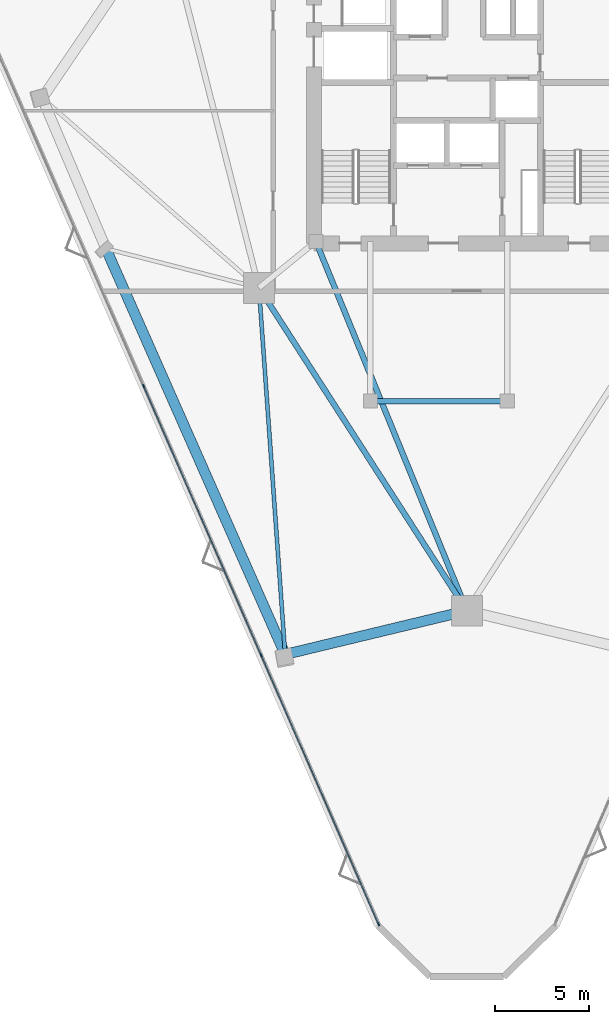
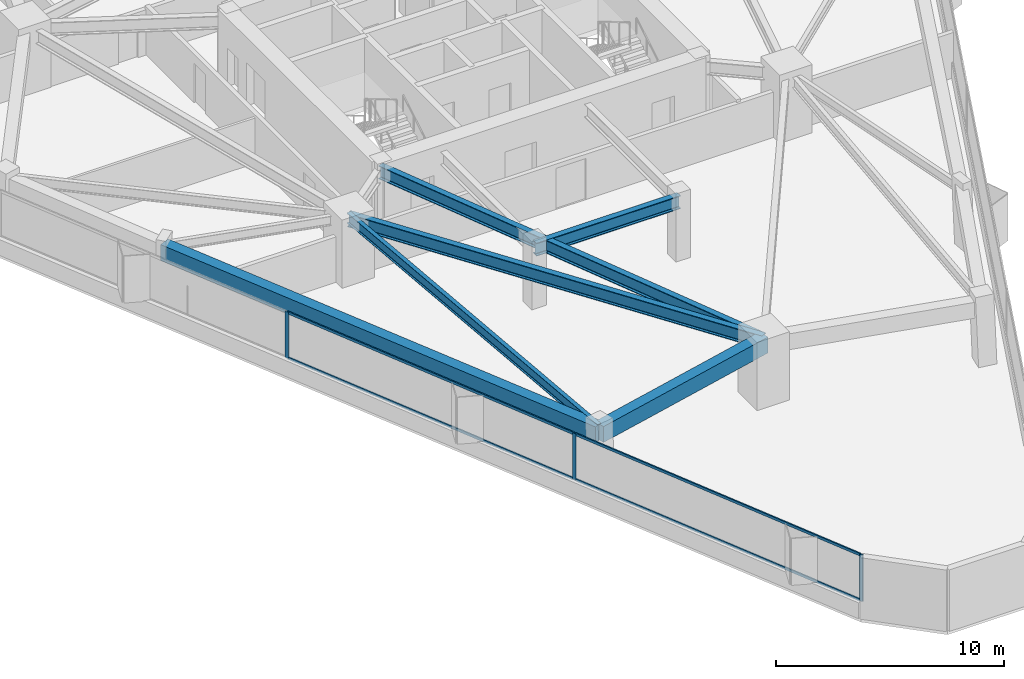
# One storey, part 2 of 14: 7 members, 6 beams, 1 element without a shape of its own.
"""IFC4 building model written with IfcOpenShell, lengths in metres."""

from ifc_helpers import new_model, si_unit, direction, frame, origin, origin_2d, place, context, subcontext, project, spatial, rectangle, i_section, extrude, material, layer, layer_set, material_profile, profile_set, type_object, element, aggregate, save


model = new_model("IFC4")

# Units and contexts
model_context = context("Model", 3, precision=1e-05, world=origin(), true_north=direction((0.0, 1.0)))
body_context = subcontext(model_context, "Body", "Model", "MODEL_VIEW")
ifc_project = project(units=[si_unit("LENGTHUNIT", "METRE"), si_unit("AREAUNIT", "SQUARE_METRE"), si_unit("VOLUMEUNIT", "CUBIC_METRE"), si_unit("PLANEANGLEUNIT", "RADIAN"), si_unit("MASSUNIT", "GRAM", prefix="KILO")], contexts=[model_context])

# Site, building, storey
site_placement = place(None, origin())
site = spatial("IfcSite", under=ifc_project, at=site_placement, CompositionType="ELEMENT")
building_placement = place(site_placement, origin())
building = spatial("IfcBuilding", under=site, at=building_placement, Name="Talyreon Biosciences Tower", CompositionType="ELEMENT")
storey_placement = place(building_placement, frame((0.0, 0.0, 115.14990234375)))
storey = spatial("IfcBuildingStorey", under=building, at=storey_placement, Name="L30", CompositionType="ELEMENT", Elevation=115.14990234375)

# Curtain wall, members
ifc_material_1 = material(Name="Thermally broken aluminium and low-E glazing", Category="aluminium")
ifc_layer = layer(ifc_material_1, 0.18994140625)
ifc_layer_set = layer_set([ifc_layer], Name="Thermally broken aluminium and low-E glazing")
curtain_wall_type = type_object("IfcCurtainWallType", Name="CurtainWall_Zone2Genomics", PredefinedType="NOTDEFINED", material=ifc_layer_set)
curtain_wall_placement = place(storey_placement, origin())
curtain_wall = element("IfcCurtainWall", 1, at=curtain_wall_placement, inside=storey, type_object=curtain_wall_type, Name="L30 Unitised Curtain Wall FCW-L30-00", PredefinedType="NOTDEFINED")
ifc_material_2 = material(Name="Anodised thermally broken aluminium", Category="aluminium")
ifc_material_profile_1 = material_profile(ifc_material_2, rectangle(XDim=0.06494140625, YDim=0.179931640625, at=origin_2d()), Name="ALUM MULLION 65x180")
ifc_profile_set_1 = profile_set([ifc_material_profile_1], Name="Anodised thermally broken aluminium")
member_type_1 = type_object("IfcMemberType", Name="CWMullion_65x180", PredefinedType="MULLION", material=ifc_profile_set_1)
member_1_placement = place(storey_placement, frame((61.294921875, 24.954345703125, 0.81005859375), z_axis=(0.0, 0.0, 1.0), x_axis=(-0.916416470178, -0.400226002637, 0.0)))
member_1 = element("IfcMember", 2, at=member_1_placement, type_object=member_type_1, Name="CW3 mullion 1", PredefinedType="MULLION", context=body_context, shape_type="SweptSolid", body=[
    extrude(rectangle(XDim=0.06494140625, YDim=0.179931640625, at=origin_2d()), origin(), (0.0, 0.0, 1.0), 2.489990234375),
])
member_2_placement = place(storey_placement, frame((55.035888671875, 39.2861328125, 0.81005859375), z_axis=(0.0, 0.0, 1.0), x_axis=(-0.916416470178, -0.400226002637, 0.0)))
member_2 = element("IfcMember", 3, at=member_2_placement, type_object=member_type_1, Name="CW3 mullion 2", PredefinedType="MULLION", context=body_context, shape_type="SweptSolid", body=[
    extrude(rectangle(XDim=0.06494140625, YDim=0.179931640625, at=origin_2d()), origin(), (0.0, 0.0, 1.0), 2.489990234375),
])
member_3_placement = place(storey_placement, frame((48.763671875, 53.6474609375, 0.81005859375), z_axis=(0.0, 0.0, 1.0), x_axis=(-0.916416470178, -0.400226002637, 0.0)))
member_3 = element("IfcMember", 4, at=member_3_placement, type_object=member_type_1, Name="CW3 mullion 3", PredefinedType="MULLION", context=body_context, shape_type="SweptSolid", body=[
    extrude(rectangle(XDim=0.06494140625, YDim=0.179931640625, at=origin_2d()), origin(), (0.0, 0.0, 1.0), 2.489990234375),
])
ifc_material_profile_2 = material_profile(ifc_material_2, rectangle(XDim=0.06494140625, YDim=0.139892578125, at=origin_2d()), Name="ALUM TRANSOM 65x140")
ifc_profile_set_2 = profile_set([ifc_material_profile_2], Name="Anodised thermally broken aluminium")
member_type_2 = type_object("IfcMemberType", Name="CWTransom_65x140", PredefinedType="USERDEFINED", material=ifc_profile_set_2)
member_4_placement = place(storey_placement, frame((61.281982421875, 24.984130859375, 0.842529296875), z_axis=(-0.400229120213, 0.916415108634, 0.0), x_axis=(-0.916415108634, -0.400229120213, 0.0)))
member_4 = element("IfcMember", 5, at=member_4_placement, type_object=member_type_2, Name="CW3 transom 1.1", ObjectType="TRANSOM", PredefinedType="USERDEFINED", context=body_context, shape_type="SweptSolid", body=[
    extrude(rectangle(XDim=0.06494140625, YDim=0.139892578125, at=origin_2d()), origin(), (0.0, 0.0, 1.0), 15.573974609375),
])
member_5_placement = place(storey_placement, frame((61.281982421875, 24.984130859375, 3.267578125), z_axis=(-0.400229120213, 0.916415108634, 0.0), x_axis=(-0.916415108634, -0.400229120213, 0.0)))
member_5 = element("IfcMember", 6, at=member_5_placement, type_object=member_type_2, Name="CW3 transom 1.2", ObjectType="TRANSOM", PredefinedType="USERDEFINED", context=body_context, shape_type="SweptSolid", body=[
    extrude(rectangle(XDim=0.06494140625, YDim=0.139892578125, at=origin_2d()), origin(), (0.0, 0.0, 1.0), 15.573974609375),
])
member_6_placement = place(storey_placement, frame((55.022705078125, 39.31591796875, 0.842529296875), z_axis=(-0.40023115993, 0.916414217819, 0.0), x_axis=(-0.916414217819, -0.40023115993, 0.0)))
member_6 = element("IfcMember", 7, at=member_6_placement, type_object=member_type_2, Name="CW3 transom 2.1", ObjectType="TRANSOM", PredefinedType="USERDEFINED", context=body_context, shape_type="SweptSolid", body=[
    extrude(rectangle(XDim=0.06494140625, YDim=0.139892578125, at=origin_2d()), origin(), (0.0, 0.0, 1.0), 15.606201171875),
])
member_7_placement = place(storey_placement, frame((55.022705078125, 39.31591796875, 3.267578125), z_axis=(-0.40023115993, 0.916414217819, 0.0), x_axis=(-0.916414217819, -0.40023115993, 0.0)))
member_7 = element("IfcMember", 8, at=member_7_placement, type_object=member_type_2, Name="CW3 transom 2.2", ObjectType="TRANSOM", PredefinedType="USERDEFINED", context=body_context, shape_type="SweptSolid", body=[
    extrude(rectangle(XDim=0.06494140625, YDim=0.139892578125, at=origin_2d()), origin(), (0.0, 0.0, 1.0), 15.606201171875),
])
aggregate(curtain_wall, [member_1, member_2, member_3, member_4, member_5, member_6, member_7])

# Beams
ifc_material_3 = material(Name="Precast concrete C45/55", Category="concrete")
ifc_material_profile_3 = material_profile(ifc_material_3, rectangle(XDim=0.550048828125, YDim=0.85009765625, at=origin_2d()), Name="RCB 550x850")
ifc_profile_set_3 = profile_set([ifc_material_profile_3], Name="Precast concrete C45/55")
beam_type_1 = type_object("IfcBeamType", Name="ExpressedSpandrel_550x850", PredefinedType="SPANDREL", material=ifc_profile_set_3)
beam_1_placement = place(storey_placement, frame((46.7587890625, 60.9677734375, 2.875), z_axis=(0.40404511464, -0.914739058604, 0.0), x_axis=(0.914739058604, 0.40404511464, 0.0)))
element("IfcBeam", 9, at=beam_1_placement, inside=storey, type_object=beam_type_1, Name="L30 Expressed Horizontal Concrete Spandrel 11", PredefinedType="SPANDREL", context=body_context, shape_type="SweptSolid", body=[
    extrude(rectangle(XDim=0.550048828125, YDim=0.85009765625, at=origin_2d()), origin(), (0.0, 0.0, 1.0), 23.645263671875),
])
beam_2_placement = place(storey_placement, frame((56.3125, 39.338623046875, 2.875), z_axis=(0.972310512875, 0.233692675436, 0.0), x_axis=(-0.233692675436, 0.972310512875, 0.0)))
element("IfcBeam", 10, at=beam_2_placement, inside=storey, type_object=beam_type_1, Name="L30 Expressed Horizontal Concrete Spandrel 12", PredefinedType="SPANDREL", context=body_context, shape_type="SweptSolid", body=[
    extrude(rectangle(XDim=0.550048828125, YDim=0.85009765625, at=origin_2d()), origin(), (0.0, 0.0, 1.0), 9.96337890625),
])
ifc_material_4 = material(Name="Steel SM355", Category="steel")
ifc_material_profile_4 = material_profile(ifc_material_4, i_section(OverallWidth=0.300048828125, OverallDepth=0.699951171875, WebThickness=0.01708984375, FlangeThickness=0.031982421875, FilletRadius=0.027099609375, at=origin_2d()), Name="HE700B")
ifc_profile_set_4 = profile_set([ifc_material_profile_4], Name="Steel SM355")
beam_type_2 = type_object("IfcBeamType", Name="SteelGirder_HE700B", PredefinedType="BEAM", material=ifc_profile_set_4)
beam_3_placement = place(storey_placement, frame((54.913818359375, 58.88037109375, 2.9501953125), z_axis=(0.541463723609, -0.840724114092, 0.0), x_axis=(0.840724114092, 0.541463723609, 0.0)))
element("IfcBeam", 11, at=beam_3_placement, inside=storey, type_object=beam_type_2, Name="L30 Mega-Ring Girder 6", PredefinedType="BEAM", context=body_context, shape_type="SweptSolid", body=[
    extrude(i_section(OverallWidth=0.300048828125, OverallDepth=0.699951171875, WebThickness=0.01708984375, FlangeThickness=0.031982421875, FilletRadius=0.027099609375, at=origin_2d()), origin(), (0.0, 0.0, 1.0), 20.474365234375),
])
beam_4_placement = place(storey_placement, frame((57.949951171875, 61.35009765625, 2.9501953125), z_axis=(0.378547014545, -0.925582064314, 0.0), x_axis=(0.925582064314, 0.378547014545, 0.0)))
element("IfcBeam", 12, at=beam_4_placement, inside=storey, type_object=beam_type_2, Name="L30 Radial Primary Girder 1", PredefinedType="BEAM", context=body_context, shape_type="SweptSolid", body=[
    extrude(i_section(OverallWidth=0.300048828125, OverallDepth=0.699951171875, WebThickness=0.01708984375, FlangeThickness=0.031982421875, FilletRadius=0.027099609375, at=origin_2d()), origin(), (0.0, 0.0, 1.0), 21.265625),
])
beam_5_placement = place(storey_placement, frame((60.85009765625, 52.840087890625, 2.9501953125), z_axis=(1.0, 0.0, 0.0), x_axis=(0.0, 1.0, 0.0)))
element("IfcBeam", 13, at=beam_5_placement, inside=storey, type_object=beam_type_2, Name="L30 Crown Shaft Spine Girder S", PredefinedType="BEAM", context=body_context, shape_type="SweptSolid", body=[
    extrude(i_section(OverallWidth=0.300048828125, OverallDepth=0.699951171875, WebThickness=0.01708984375, FlangeThickness=0.031982421875, FilletRadius=0.027099609375, at=origin_2d()), origin(), (0.0, 0.0, 1.0), 7.2998046875),
])
ifc_material_profile_5 = material_profile(ifc_material_4, i_section(OverallWidth=0.2099609375, OverallDepth=0.550048828125, WebThickness=0.010986328125, FlangeThickness=0.01708984375, FilletRadius=0.02392578125, at=origin_2d()), Name="IPE550")
ifc_profile_set_5 = profile_set([ifc_material_profile_5], Name="Steel SM355")
beam_type_3 = type_object("IfcBeamType", Name="SteelJoist_IPE550", PredefinedType="JOIST", material=ifc_profile_set_5)
beam_6_placement = place(storey_placement, frame((54.913818359375, 58.88037109375, 3.025146484375), z_axis=(0.071391399141, -0.997448378679, 0.0), x_axis=(0.997448378679, 0.071391399141, 0.0)))
element("IfcBeam", 14, at=beam_6_placement, inside=storey, type_object=beam_type_3, Name="L30 Radial Composite Floor Joist PC-SW2", PredefinedType="JOIST", context=body_context, shape_type="SweptSolid", body=[
    extrude(i_section(OverallWidth=0.2099609375, OverallDepth=0.550048828125, WebThickness=0.010986328125, FlangeThickness=0.01708984375, FilletRadius=0.02392578125, at=origin_2d()), origin(), (0.0, 0.0, 1.0), 19.591796875),
])

save(model, "model.ifc")
